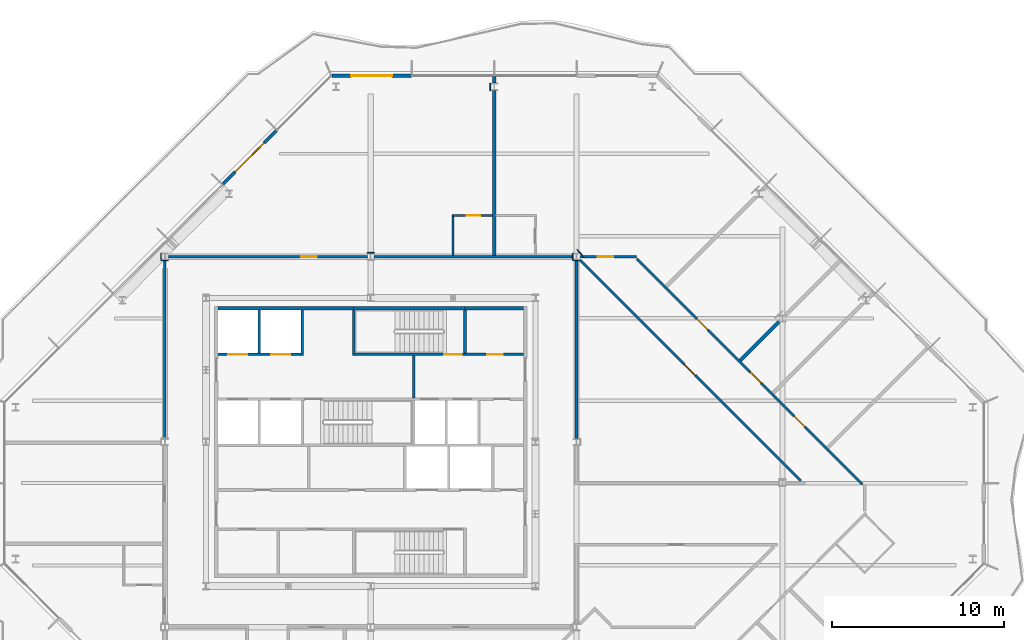
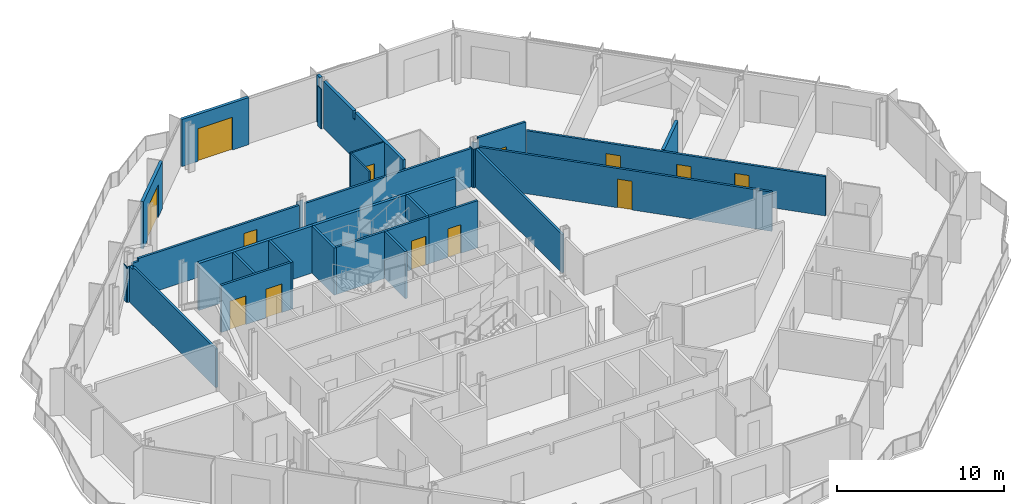
# One storey, part 11 of 17: 32 walls, 13 doors, 13 openings.
"""IFC4 building model written with IfcOpenShell, lengths in metres."""

from ifc_helpers import new_model, si_unit, direction, frame, frame_2d, origin, place, context, subcontext, project, spatial, polyline, rectangle, outline, extrude, material, layer, layer_set, type_object, element, fill, save


model = new_model("IFC4")

# Units and contexts
model_context = context("Model", 3, precision=1e-05, world=origin(), true_north=direction((0.0, 1.0)))
body_context = subcontext(model_context, "Body", "Model", "MODEL_VIEW")
ifc_project = project(units=[si_unit("LENGTHUNIT", "METRE"), si_unit("AREAUNIT", "SQUARE_METRE"), si_unit("VOLUMEUNIT", "CUBIC_METRE"), si_unit("PLANEANGLEUNIT", "RADIAN"), si_unit("MASSUNIT", "GRAM", prefix="KILO")], contexts=[model_context])

# Site, building, storey
site_placement = place(None, origin())
site = spatial("IfcSite", under=ifc_project, at=site_placement, CompositionType="ELEMENT")
building_placement = place(site_placement, origin())
building = spatial("IfcBuilding", under=site, at=building_placement, Name="Cairn Pilgrim Tower", CompositionType="ELEMENT")
storey_placement = place(building_placement, frame((0.0, 0.0, 210.60009765625)))
storey = spatial("IfcBuildingStorey", under=building, at=storey_placement, Name="L53", CompositionType="ELEMENT", Elevation=210.60009765625)

# Wall, opening, door
ifc_material_1 = material(Name="Bronze anodised aluminium insulated sandwich panel with mineral wool fill", Category="aluminium")
ifc_layer_1 = layer(ifc_material_1, 0.199951171875)
ifc_layer_set_1 = layer_set([ifc_layer_1], Name="BRONZE INFILL FRAME WALL 200")
wall_type_1 = type_object("IfcWallType", Name="BRONZE INFILL FRAME WALL 200", PredefinedType="NOTDEFINED", material=ifc_layer_set_1)
wall_1_placement = place(storey_placement, frame((9.570068359375, 23.75, 0.0), z_axis=(0.0, 0.0, 1.0), x_axis=(-1.0, 0.0, 0.0)))
wall_1 = element("IfcWall", 1, at=wall_1_placement, inside=storey, type_object=wall_type_1, Name="Bronze infill frame wall IW-N4", PredefinedType="NOTDEFINED", context=body_context, shape_type="SweptSolid", body=[
    extrude(rectangle(XDim=4.62646484375, YDim=0.199951171875, at=frame_2d((2.313232421875, 0.0))), origin(), (0.0, 0.0, 1.0), 3.449951171875),
])
opening_1_placement = place(wall_1_placement, frame((1.117919921875, 0.0, 0.0)))
opening_1 = element("IfcOpeningElement", 2, at=opening_1_placement, cuts=wall_1, Name="Opening 5309B", PredefinedType="OPENING", context=body_context, shape_type="SweptSolid", body=[
    extrude(rectangle(XDim=2.39990234375, YDim=2.39990234375, at=frame_2d((1.199951171875, 1.199951171875))), frame((0.0, 0.10986328125, 0.0), z_axis=(0.0, -1.0, 0.0), x_axis=(1.0, 0.0, 0.0)), (0.0, 0.0, 1.0), 0.219970703125),
])
ifc_material_2 = material(Name="Bronze anodised aluminium frame with tinted low-E glass", Category="aluminium")
door_type_1 = type_object("IfcDoorType", Name="BALCONY SLIDING DOOR 2400x2400", OperationType="DOUBLE_DOOR_SLIDING", PredefinedType="DOOR", material=ifc_material_2)
door_1_placement = place(opening_1_placement, origin())
door_1 = element("IfcDoor", 3, at=door_1_placement, inside=storey, type_object=door_type_1, Name="Balcony sliding door 5309B", OperationType="SINGLE_SWING_LEFT", OverallHeight=2.39990234375, OverallWidth=2.39990234375, PredefinedType="DOOR", context=body_context, shape_type="SweptSolid", body=[
    extrude(rectangle(XDim=2.39990234375, YDim=2.39990234375, at=frame_2d((1.199951171875, 1.199951171875))), frame((0.0, 0.02490234375, 0.0), z_axis=(0.0, -1.0, 0.0), x_axis=(1.0, 0.0, 0.0)), (0.0, 0.0, 1.0), 0.050048828125),
])
fill(opening_1, door_1)

wall_2_placement = place(storey_placement, frame((1.706787109375, 20.55322265625, 0.0), z_axis=(0.0, 0.0, 1.0), x_axis=(-0.707106781187, -0.707106781187, 0.0)))
wall_2 = element("IfcWall", 4, at=wall_2_placement, inside=storey, type_object=wall_type_1, Name="Bronze infill frame wall IW-NW2", PredefinedType="NOTDEFINED", context=body_context, shape_type="SweptSolid", body=[
    extrude(rectangle(XDim=4.43115234375, YDim=0.199951171875, at=frame_2d((2.215576171875, 0.0))), origin(), (0.0, 0.0, 1.0), 3.449951171875),
])
opening_2_placement = place(wall_2_placement, frame((1.015380859375, 0.0, 0.0)))
opening_2 = element("IfcOpeningElement", 5, at=opening_2_placement, cuts=wall_2, Name="Opening 5309B2", PredefinedType="OPENING", context=body_context, shape_type="SweptSolid", body=[
    extrude(rectangle(XDim=2.39990234375, YDim=2.39990234375, at=frame_2d((1.199951171875, 1.199951171875))), frame((0.0, 0.10986328125, 0.0), z_axis=(0.0, -1.0, 0.0), x_axis=(1.0, 0.0, 0.0)), (0.0, 0.0, 1.0), 0.219970703125),
])
door_2_placement = place(opening_2_placement, origin())
door_2 = element("IfcDoor", 6, at=door_2_placement, inside=storey, type_object=door_type_1, Name="Balcony sliding door 5309B2", OperationType="SINGLE_SWING_LEFT", OverallHeight=2.39990234375, OverallWidth=2.39990234375, PredefinedType="DOOR", context=body_context, shape_type="SweptSolid", body=[
    extrude(rectangle(XDim=2.39990234375, YDim=2.39990234375, at=frame_2d((1.199951171875, 1.199951171875))), frame((0.0, 0.02490234375, 0.0), z_axis=(0.0, -1.0, 0.0), x_axis=(1.0, 0.0, 0.0)), (0.0, 0.0, 1.0), 0.050048828125),
])
fill(opening_2, door_2)

# Walls
ifc_material_3 = material(Name="Concrete C32/40", Category="concrete")
ifc_layer_2 = layer(ifc_material_3, 0.199951171875)
ifc_layer_set_2 = layer_set([ifc_layer_2], Name="CORE OUTER WALL 200 EI 120")
wall_type_2 = type_object("IfcWallType", Name="CORE OUTER WALL 200 EI 120", PredefinedType="SOLIDWALL", material=ifc_layer_set_2)
wall_3_placement = place(storey_placement, frame((-1.699951171875, 10.199951171875, 0.0), z_axis=(0.0, 0.0, 1.0), x_axis=(1.0, 0.0, 0.0)))
element("IfcWall", 7, at=wall_3_placement, inside=storey, type_object=wall_type_2, Name="CW:L53:H12-1", PredefinedType="SOLIDWALL", context=body_context, shape_type="SweptSolid", body=[
    extrude(rectangle(XDim=7.89990234375, YDim=0.199951171875, at=frame_2d((3.949951171875, 0.0))), origin(), (0.0, 0.0, 1.0), 3.449951171875),
])
wall_4_placement = place(storey_placement, frame((12.699951171875, 10.199951171875, 0.0), z_axis=(0.0, 0.0, 1.0), x_axis=(1.0, 0.0, 0.0)))
element("IfcWall", 8, at=wall_4_placement, inside=storey, type_object=wall_type_2, Name="CW:L53:H12-3", PredefinedType="SOLIDWALL", context=body_context, shape_type="SweptSolid", body=[
    extrude(rectangle(XDim=3.400146484375, YDim=0.199951171875, at=frame_2d((1.7001953125, 0.0))), origin(), (0.0, 0.0, 1.0), 3.449951171875),
])

# Wall, openings, doors
ifc_layer_3 = layer(ifc_material_3, 0.14990234375)
ifc_layer_set_3 = layer_set([ifc_layer_3], Name="CORE SHAFT WALL 150 EI 120")
wall_type_3 = type_object("IfcWallType", Name="CORE SHAFT WALL 150 EI 120", PredefinedType="SOLIDWALL", material=ifc_layer_set_3)
wall_5_placement = place(storey_placement, frame((-1.699951171875, 7.5, 0.0), z_axis=(0.0, 0.0, 1.0), x_axis=(1.0, 0.0, 0.0)))
wall_5 = element("IfcWall", 9, at=wall_5_placement, inside=storey, type_object=wall_type_3, Name="CW:L53:H10", PredefinedType="SOLIDWALL", context=body_context, shape_type="SweptSolid", body=[
    extrude(rectangle(XDim=4.824951171875, YDim=0.14990234375, at=frame_2d((2.41259765625, 0.0))), origin(), (0.0, 0.0, 1.0), 3.449951171875),
])
opening_3_placement = place(wall_5_placement, frame((0.60009765625, 0.0, 0.0)))
opening_3 = element("IfcOpeningElement", 10, at=opening_3_placement, cuts=wall_5, Name="Opening LD-HR3", PredefinedType="OPENING", context=body_context, shape_type="SweptSolid", body=[
    extrude(rectangle(XDim=1.10009765625, YDim=2.10009765625, at=frame_2d((0.550048828125, 1.050048828125))), frame((0.0, 0.0849609375, 0.0), z_axis=(0.0, -1.0, 0.0), x_axis=(1.0, 0.0, 0.0)), (0.0, 0.0, 1.0), 0.169921875),
])
opening_4_placement = place(wall_5_placement, frame((3.10009765625, 0.0, 0.0)))
opening_4 = element("IfcOpeningElement", 11, at=opening_4_placement, cuts=wall_5, Name="Opening LD-HR4", PredefinedType="OPENING", context=body_context, shape_type="SweptSolid", body=[
    extrude(rectangle(XDim=1.10009765625, YDim=2.10009765625, at=frame_2d((0.550048828125, 1.050048828125))), frame((0.0, 0.0849609375, 0.0), z_axis=(0.0, -1.0, 0.0), x_axis=(1.0, 0.0, 0.0)), (0.0, 0.0, 1.0), 0.169921875),
])
ifc_material_4 = material(Name="Stainless steel", Category="steel")
door_type_2 = type_object("IfcDoorType", Name="LIFT LANDING DOOR 1100x2100", OperationType="DOUBLE_DOOR_SLIDING", PredefinedType="DOOR", material=ifc_material_4)
door_3_placement = place(opening_3_placement, origin())
door_3 = element("IfcDoor", 12, at=door_3_placement, inside=storey, type_object=door_type_2, Name="LANDING DOOR HR3", OperationType="DOUBLE_DOOR_SLIDING", OverallHeight=2.10009765625, OverallWidth=1.10009765625, PredefinedType="DOOR", context=body_context, shape_type="SweptSolid", body=[
    extrude(rectangle(XDim=1.10009765625, YDim=2.10009765625, at=frame_2d((0.550048828125, 1.050048828125))), frame((0.0, 0.02490234375, 0.0), z_axis=(0.0, -1.0, 0.0), x_axis=(1.0, 0.0, 0.0)), (0.0, 0.0, 1.0), 0.050048828125),
])
fill(opening_3, door_3)
door_4_placement = place(opening_4_placement, origin())
door_4 = element("IfcDoor", 13, at=door_4_placement, inside=storey, type_object=door_type_2, Name="LANDING DOOR HR4", OperationType="DOUBLE_DOOR_SLIDING", OverallHeight=2.10009765625, OverallWidth=1.10009765625, PredefinedType="DOOR", context=body_context, shape_type="SweptSolid", body=[
    extrude(rectangle(XDim=1.10009765625, YDim=2.10009765625, at=frame_2d((0.550048828125, 1.050048828125))), frame((0.0, 0.02490234375, 0.0), z_axis=(0.0, -1.0, 0.0), x_axis=(1.0, 0.0, 0.0)), (0.0, 0.0, 1.0), 0.050048828125),
])
fill(opening_4, door_4)

# Wall, opening, door
wall_6_placement = place(storey_placement, frame((12.699951171875, 7.5, 0.0), z_axis=(0.0, 0.0, 1.0), x_axis=(1.0, 0.0, 0.0)))
wall_6 = element("IfcWall", 14, at=wall_6_placement, inside=storey, type_object=wall_type_3, Name="CW:L53:H11-2", PredefinedType="SOLIDWALL", context=body_context, shape_type="SweptSolid", body=[
    extrude(rectangle(XDim=3.400146484375, YDim=0.14990234375, at=frame_2d((1.7001953125, 0.0))), origin(), (0.0, 0.0, 1.0), 3.449951171875),
])
opening_5_placement = place(wall_6_placement, frame((1.300048828125, 0.0, 0.0)))
opening_5 = element("IfcOpeningElement", 15, at=opening_5_placement, cuts=wall_6, Name="Opening RD-R4E", PredefinedType="OPENING", context=body_context, shape_type="SweptSolid", body=[
    extrude(rectangle(XDim=0.89990234375, YDim=2.10009765625, at=frame_2d((0.449951171875, 1.050048828125))), frame((0.0, 0.0849609375, 0.0), z_axis=(0.0, -1.0, 0.0), x_axis=(1.0, 0.0, 0.0)), (0.0, 0.0, 1.0), 0.169921875),
])
ifc_material_5 = material(Name="Painted steel", Category="steel")
door_type_3 = type_object("IfcDoorType", Name="SERVICE ROOM DOOR 900x2100", OperationType="SINGLE_SWING_LEFT", PredefinedType="DOOR", material=ifc_material_5)
door_5_placement = place(opening_5_placement, origin())
door_5 = element("IfcDoor", 16, at=door_5_placement, inside=storey, type_object=door_type_3, Name="RD-R4E", OperationType="SINGLE_SWING_RIGHT", OverallHeight=2.10009765625, OverallWidth=0.89990234375, PredefinedType="DOOR", context=body_context, shape_type="SweptSolid", body=[
    extrude(rectangle(XDim=0.89990234375, YDim=2.10009765625, at=frame_2d((0.449951171875, 1.050048828125))), frame((0.0, 0.02490234375, 0.0), z_axis=(0.0, -1.0, 0.0), x_axis=(1.0, 0.0, 0.0)), (0.0, 0.0, 1.0), 0.050048828125),
])
fill(opening_5, door_5)

# Walls
wall_7_placement = place(storey_placement, frame((0.699951171875, 7.574951171875, 0.0), z_axis=(0.0, 0.0, 1.0), x_axis=(0.0, 1.0, 0.0)))
element("IfcWall", 17, at=wall_7_placement, inside=storey, type_object=wall_type_3, Name="CW:L53:V15", PredefinedType="SOLIDWALL", context=body_context, shape_type="SweptSolid", body=[
    extrude(rectangle(XDim=2.525146484375, YDim=0.14990234375, at=frame_2d((1.2626953125, 0.0))), origin(), (0.0, 0.0, 1.0), 3.449951171875),
])
wall_8_placement = place(storey_placement, frame((3.199951171875, 7.425048828125, 0.0), z_axis=(0.0, 0.0, 1.0), x_axis=(0.0, 1.0, 0.0)))
element("IfcWall", 18, at=wall_8_placement, inside=storey, type_object=wall_type_3, Name="CW:L53:V18", PredefinedType="SOLIDWALL", context=body_context, shape_type="SweptSolid", body=[
    extrude(rectangle(XDim=2.675048828125, YDim=0.14990234375, at=frame_2d((1.33740234375, 0.0))), origin(), (0.0, 0.0, 1.0), 3.449951171875),
])
wall_9_placement = place(storey_placement, frame((9.699951171875, 4.97509765625, 0.0), z_axis=(0.0, 0.0, 1.0), x_axis=(0.0, 1.0, 0.0)))
element("IfcWall", 19, at=wall_9_placement, inside=storey, type_object=wall_type_3, Name="CW:L53:V24", PredefinedType="SOLIDWALL", context=body_context, shape_type="SweptSolid", body=[
    extrude(rectangle(XDim=2.449951171875, YDim=0.14990234375, at=frame_2d((1.22509765625, 0.0))), origin(), (0.0, 0.0, 1.0), 3.449951171875),
])
ifc_material_6 = material(Name="Gypsum partition")
ifc_layer_4 = layer(ifc_material_6, 0.10009765625)
ifc_layer_set_4 = layer_set([ifc_layer_4], Name="PARTITION 100 DRYWALL")
wall_type_4 = type_object("IfcWallType", Name="PARTITION 100 DRYWALL", PredefinedType="PARTITIONING", material=ifc_layer_set_4)
wall_10_placement = place(storey_placement, frame((12.0, 13.27490234375, 0.0), z_axis=(0.0, 0.0, 1.0), x_axis=(0.0, 1.0, 0.0)))
element("IfcWall", 20, at=wall_10_placement, inside=storey, type_object=wall_type_4, Name="PARTITION W069", PredefinedType="PARTITIONING", context=body_context, shape_type="SweptSolid", body=[
    extrude(outline(polyline([(0.0, 0.0), (2.275146484375, 0.0), (2.27490234375, 3.449951171875), (0.074951171875, 3.449951171875), (0.072998046875, 2.829833984375), (0.0, 2.829833984375), (0.0, 0.0)])), frame((0.0, 0.050048828125, 0.0), z_axis=(0.0, -1.0, 0.0), x_axis=(1.0, 0.0, 0.0)), (0.0, 0.0, 1.0), 0.10009765625),
])

# Wall, opening, door
wall_11_placement = place(storey_placement, frame((11.949951171875, 15.60009765625, 0.0), z_axis=(0.0, 0.0, 1.0), x_axis=(1.0, 0.0, 0.0)))
wall_11 = element("IfcWall", 21, at=wall_11_placement, inside=storey, type_object=wall_type_4, Name="PARTITION W072", PredefinedType="PARTITIONING", context=body_context, shape_type="SweptSolid", body=[
    extrude(rectangle(XDim=2.35009765625, YDim=0.10009765625, at=frame_2d((1.175048828125, 0.0))), origin(), (0.0, 0.0, 1.0), 3.449951171875),
])
opening_6_placement = place(wall_11_placement, frame((0.85009765625, 0.0, 0.0)))
opening_6 = element("IfcOpeningElement", 22, at=opening_6_placement, cuts=wall_11, Name="Opening 5309A", PredefinedType="OPENING", context=body_context, shape_type="SweptSolid", body=[
    extrude(rectangle(XDim=0.800048828125, YDim=2.10009765625, at=frame_2d((0.39990234375, 1.050048828125))), frame((0.0, 0.06005859375, 0.0), z_axis=(0.0, -1.0, 0.0), x_axis=(1.0, 0.0, 0.0)), (0.0, 0.0, 1.0), 0.1201171875),
])
ifc_material_7 = material(Name="Timber door leaf", Category="wood")
door_type_4 = type_object("IfcDoorType", Name="WC DOOR 800x2100", OperationType="NOTDEFINED", PredefinedType="DOOR", material=ifc_material_7)
door_6_placement = place(opening_6_placement, origin())
door_6 = element("IfcDoor", 23, at=door_6_placement, inside=storey, type_object=door_type_4, Name="DOOR 5309A", OperationType="SINGLE_SWING_LEFT", OverallHeight=2.10009765625, OverallWidth=0.800048828125, PredefinedType="DOOR", context=body_context, shape_type="SweptSolid", body=[
    extrude(rectangle(XDim=0.800048828125, YDim=2.10009765625, at=frame_2d((0.39990234375, 1.050048828125))), frame((0.0, 0.02490234375, 0.0), z_axis=(0.0, -1.0, 0.0), x_axis=(1.0, 0.0, 0.0)), (0.0, 0.0, 1.0), 0.050048828125),
])
fill(opening_6, door_6)

# Wall, openings, doors
ifc_layer_5 = layer(ifc_material_6, 0.14990234375)
ifc_layer_set_5 = layer_set([ifc_layer_5], Name="PARTITION 150 DRYWALL EI 60")
wall_type_5 = type_object("IfcWallType", Name="PARTITION 150 DRYWALL EI 60", PredefinedType="PARTITIONING", material=ifc_layer_set_5)
wall_12_placement = place(storey_placement, frame((35.8720703125, -0.077880859375, 0.0), z_axis=(0.0, 0.0, 1.0), x_axis=(-0.707113345155, 0.707100217157, 0.0)))
wall_12 = element("IfcWall", 24, at=wall_12_placement, inside=storey, type_object=wall_type_5, Name="PARTITION W052", PredefinedType="PARTITIONING", context=body_context, shape_type="SweptSolid", body=[
    extrude(rectangle(XDim=18.596923828125, YDim=0.14990234375, at=frame_2d((9.29833984375, 0.0))), origin(), (0.0, 0.0, 1.0), 2.8798828125),
])
opening_7_placement = place(wall_12_placement, frame((4.743896484375, 0.0, 0.0)))
opening_7 = element("IfcOpeningElement", 25, at=opening_7_placement, cuts=wall_12, Name="Opening 5305", PredefinedType="OPENING", context=body_context, shape_type="SweptSolid", body=[
    extrude(rectangle(XDim=0.89990234375, YDim=2.10009765625, at=frame_2d((0.449951171875, 1.050048828125))), frame((0.0, 0.0849609375, 0.0), z_axis=(0.0, -1.0, 0.0), x_axis=(1.0, 0.0, 0.0)), (0.0, 0.0, 1.0), 0.169921875),
])
opening_8_placement = place(wall_12_placement, frame((8.344970703125, 0.0, 0.0)))
opening_8 = element("IfcOpeningElement", 26, at=opening_8_placement, cuts=wall_12, Name="Opening 5306", PredefinedType="OPENING", context=body_context, shape_type="SweptSolid", body=[
    extrude(rectangle(XDim=0.89990234375, YDim=2.10009765625, at=frame_2d((0.449951171875, 1.050048828125))), frame((0.0, 0.0849609375, 0.0), z_axis=(0.0, -1.0, 0.0), x_axis=(1.0, 0.0, 0.0)), (0.0, 0.0, 1.0), 0.169921875),
])
opening_9_placement = place(wall_12_placement, frame((12.74609375, 0.0, 0.0)))
opening_9 = element("IfcOpeningElement", 27, at=opening_9_placement, cuts=wall_12, Name="Opening 5307", PredefinedType="OPENING", context=body_context, shape_type="SweptSolid", body=[
    extrude(rectangle(XDim=0.89990234375, YDim=2.10009765625, at=frame_2d((0.449951171875, 1.050048828125))), frame((0.0, 0.0849609375, 0.0), z_axis=(0.0, -1.0, 0.0), x_axis=(1.0, 0.0, 0.0)), (0.0, 0.0, 1.0), 0.169921875),
])
door_type_5 = type_object("IfcDoorType", Name="SERVICE DOOR 900x2100 FD30S", OperationType="NOTDEFINED", PredefinedType="DOOR", material=ifc_material_7)
door_7_placement = place(opening_7_placement, frame((0.89990234375, 0.0, 0.0), z_axis=(0.0, 0.0, 1.0), x_axis=(-1.0, 0.0, 0.0)))
door_7 = element("IfcDoor", 28, at=door_7_placement, inside=storey, type_object=door_type_5, Name="DOOR 5305", OperationType="SINGLE_SWING_LEFT", OverallHeight=2.10009765625, OverallWidth=0.89990234375, PredefinedType="DOOR", context=body_context, shape_type="SweptSolid", body=[
    extrude(rectangle(XDim=0.89990234375, YDim=2.10009765625, at=frame_2d((0.449951171875, 1.050048828125))), frame((0.0, 0.02490234375, 0.0), z_axis=(0.0, -1.0, 0.0), x_axis=(1.0, 0.0, 0.0)), (0.0, 0.0, 1.0), 0.050048828125),
])
fill(opening_7, door_7)
door_8_placement = place(opening_8_placement, frame((0.89990234375, 0.0, 0.0), z_axis=(0.0, 0.0, 1.0), x_axis=(-1.0, 0.0, 0.0)))
door_8 = element("IfcDoor", 29, at=door_8_placement, inside=storey, type_object=door_type_5, Name="DOOR 5306", OperationType="SINGLE_SWING_LEFT", OverallHeight=2.10009765625, OverallWidth=0.89990234375, PredefinedType="DOOR", context=body_context, shape_type="SweptSolid", body=[
    extrude(rectangle(XDim=0.89990234375, YDim=2.10009765625, at=frame_2d((0.449951171875, 1.050048828125))), frame((0.0, 0.02490234375, 0.0), z_axis=(0.0, -1.0, 0.0), x_axis=(1.0, 0.0, 0.0)), (0.0, 0.0, 1.0), 0.050048828125),
])
fill(opening_8, door_8)
door_9_placement = place(opening_9_placement, frame((0.89990234375, 0.0, 0.0), z_axis=(0.0, 0.0, 1.0), x_axis=(-1.0, 0.0, 0.0)))
door_9 = element("IfcDoor", 30, at=door_9_placement, inside=storey, type_object=door_type_5, Name="DOOR 5307", OperationType="SINGLE_SWING_LEFT", OverallHeight=2.10009765625, OverallWidth=0.89990234375, PredefinedType="DOOR", context=body_context, shape_type="SweptSolid", body=[
    extrude(rectangle(XDim=0.89990234375, YDim=2.10009765625, at=frame_2d((0.449951171875, 1.050048828125))), frame((0.0, 0.02490234375, 0.0), z_axis=(0.0, -1.0, 0.0), x_axis=(1.0, 0.0, 0.0)), (0.0, 0.0, 1.0), 0.050048828125),
])
fill(opening_9, door_9)

# Wall, opening, door
wall_13_placement = place(storey_placement, frame((32.27197265625, 0.1279296875, 0.0), z_axis=(0.0, 0.0, 1.0), x_axis=(-0.707106781187, 0.707106781187, 0.0)))
wall_13 = element("IfcWall", 31, at=wall_13_placement, inside=storey, type_object=wall_type_5, Name="PARTITION W056", PredefinedType="PARTITIONING", context=body_context, shape_type="SweptSolid", body=[
    extrude(rectangle(XDim=18.20654296875, YDim=0.14990234375, at=frame_2d((9.103271484375, 0.0))), origin(), (0.0, 0.0, 1.0), 2.8798828125),
])
opening_10_placement = place(wall_13_placement, frame((8.702880859375, 0.0, 0.0)))
opening_10 = element("IfcOpeningElement", 32, at=opening_10_placement, cuts=wall_13, Name="Opening 5319", PredefinedType="OPENING", context=body_context, shape_type="SweptSolid", body=[
    extrude(rectangle(XDim=0.89990234375, YDim=2.10009765625, at=frame_2d((0.449951171875, 1.050048828125))), frame((0.0, 0.0849609375, 0.0), z_axis=(0.0, -1.0, 0.0), x_axis=(1.0, 0.0, 0.0)), (0.0, 0.0, 1.0), 0.169921875),
])
door_10_placement = place(opening_10_placement, origin())
door_10 = element("IfcDoor", 33, at=door_10_placement, inside=storey, type_object=door_type_5, Name="DOOR 5319", OperationType="SINGLE_SWING_RIGHT", OverallHeight=2.10009765625, OverallWidth=0.89990234375, PredefinedType="DOOR", context=body_context, shape_type="SweptSolid", body=[
    extrude(rectangle(XDim=0.89990234375, YDim=2.10009765625, at=frame_2d((0.449951171875, 1.050048828125))), frame((0.0, 0.02490234375, 0.0), z_axis=(0.0, -1.0, 0.0), x_axis=(1.0, 0.0, 0.0)), (0.0, 0.0, 1.0), 0.050048828125),
])
fill(opening_10, door_10)

# Walls
wall_14_placement = place(storey_placement, frame((-4.800048828125, 2.596435546875, 0.0), z_axis=(0.0, 0.0, 1.0), x_axis=(0.0, 1.0, 0.0)))
element("IfcWall", 34, at=wall_14_placement, inside=storey, type_object=wall_type_5, Name="PARTITION W059", PredefinedType="PARTITIONING", context=body_context, shape_type="SweptSolid", body=[
    extrude(outline(polyline([(0.0, 0.0), (10.406982421875, 0.0), (10.406982421875, 2.6298828125), (9.960693359375, 2.6298828125), (9.958740234375, 2.829833984375), (0.0, 2.829833984375), (0.0, 0.0)])), frame((0.0, 0.074951171875, 0.0), z_axis=(0.0, -1.0, 0.0), x_axis=(1.0, 0.0, 0.0)), (0.0, 0.0, 1.0), 0.14990234375),
])
wall_15_placement = place(storey_placement, frame((19.199951171875, 2.596435546875, 0.0), z_axis=(0.0, 0.0, 1.0), x_axis=(0.0, 1.0, 0.0)))
element("IfcWall", 35, at=wall_15_placement, inside=storey, type_object=wall_type_5, Name="PARTITION W060", PredefinedType="PARTITIONING", context=body_context, shape_type="SweptSolid", body=[
    extrude(rectangle(XDim=10.406982421875, YDim=0.14990234375, at=frame_2d((5.20361328125, 0.0))), origin(), (0.0, 0.0, 1.0), 2.829833984375),
])

# Wall, opening, door
wall_16_placement = place(storey_placement, frame((-4.6005859375, 13.199951171875, 0.0), z_axis=(0.0, 0.0, 1.0), x_axis=(1.0, 0.0, 0.0)))
wall_16 = element("IfcWall", 36, at=wall_16_placement, inside=storey, type_object=wall_type_5, Name="PARTITION W066", PredefinedType="PARTITIONING", context=body_context, shape_type="SweptSolid", body=[
    extrude(outline(polyline([(0.0, 0.0), (11.60107421875, 0.0), (11.60107421875, 2.829833984375), (0.443359375, 2.829833984375), (0.44140625, 2.6298828125), (0.0, 2.6298828125), (0.0, 0.0)])), frame((0.0, 0.074951171875, 0.0), z_axis=(0.0, -1.0, 0.0), x_axis=(1.0, 0.0, 0.0)), (0.0, 0.0, 1.0), 0.14990234375),
])
opening_11_placement = place(wall_16_placement, frame((7.75048828125, 0.0, 0.0)))
opening_11 = element("IfcOpeningElement", 37, at=opening_11_placement, cuts=wall_16, Name="Opening 5309", PredefinedType="OPENING", context=body_context, shape_type="SweptSolid", body=[
    extrude(rectangle(XDim=0.89990234375, YDim=2.10009765625, at=frame_2d((0.449951171875, 1.050048828125))), frame((0.0, 0.0849609375, 0.0), z_axis=(0.0, -1.0, 0.0), x_axis=(1.0, 0.0, 0.0)), (0.0, 0.0, 1.0), 0.169921875),
])
door_type_6 = type_object("IfcDoorType", Name="ROOM DOOR 900x2100 FD30S", OperationType="NOTDEFINED", PredefinedType="DOOR", material=ifc_material_7)
door_11_placement = place(opening_11_placement, origin())
door_11 = element("IfcDoor", 38, at=door_11_placement, inside=storey, type_object=door_type_6, Name="DOOR 5309", OperationType="SINGLE_SWING_LEFT", OverallHeight=2.10009765625, OverallWidth=0.89990234375, PredefinedType="DOOR", context=body_context, shape_type="SweptSolid", body=[
    extrude(rectangle(XDim=0.89990234375, YDim=2.10009765625, at=frame_2d((0.449951171875, 1.050048828125))), frame((0.0, 0.02490234375, 0.0), z_axis=(0.0, -1.0, 0.0), x_axis=(1.0, 0.0, 0.0)), (0.0, 0.0, 1.0), 0.050048828125),
])
fill(opening_11, door_11)

# Wall
wall_17_placement = place(storey_placement, frame((7.3994140625, 13.199951171875, 0.0), z_axis=(0.0, 0.0, 1.0), x_axis=(1.0, 0.0, 0.0)))
element("IfcWall", 39, at=wall_17_placement, inside=storey, type_object=wall_type_5, Name="PARTITION W067", PredefinedType="PARTITIONING", context=body_context, shape_type="SweptSolid", body=[
    extrude(rectangle(XDim=11.60107421875, YDim=0.14990234375, at=frame_2d((5.800537109375, 0.0))), origin(), (0.0, 0.0, 1.0), 2.829833984375),
])

# Wall, opening, door
wall_18_placement = place(storey_placement, frame((19.3994140625, 13.199951171875, 0.0), z_axis=(0.0, 0.0, 1.0), x_axis=(1.0, 0.0, 0.0)))
wall_18 = element("IfcWall", 40, at=wall_18_placement, inside=storey, type_object=wall_type_5, Name="PARTITION W068", PredefinedType="PARTITIONING", context=body_context, shape_type="SweptSolid", body=[
    extrude(rectangle(XDim=3.30078125, YDim=0.14990234375, at=frame_2d((1.650390625, 0.0))), origin(), (0.0, 0.0, 1.0), 3.449951171875),
])
opening_12_placement = place(wall_18_placement, frame((1.047607421875, 0.0, 0.0)))
opening_12 = element("IfcOpeningElement", 41, at=opening_12_placement, cuts=wall_18, Name="Opening 5308", PredefinedType="OPENING", context=body_context, shape_type="SweptSolid", body=[
    extrude(rectangle(XDim=0.89990234375, YDim=2.10009765625, at=frame_2d((0.449951171875, 1.050048828125))), frame((0.0, 0.0849609375, 0.0), z_axis=(0.0, -1.0, 0.0), x_axis=(1.0, 0.0, 0.0)), (0.0, 0.0, 1.0), 0.169921875),
])
door_12_placement = place(opening_12_placement, origin())
door_12 = element("IfcDoor", 42, at=door_12_placement, inside=storey, type_object=door_type_6, Name="DOOR 5308", OperationType="SINGLE_SWING_LEFT", OverallHeight=2.10009765625, OverallWidth=0.89990234375, PredefinedType="DOOR", context=body_context, shape_type="SweptSolid", body=[
    extrude(rectangle(XDim=0.89990234375, YDim=2.10009765625, at=frame_2d((0.449951171875, 1.050048828125))), frame((0.0, 0.02490234375, 0.0), z_axis=(0.0, -1.0, 0.0), x_axis=(1.0, 0.0, 0.0)), (0.0, 0.0, 1.0), 0.050048828125),
])
fill(opening_12, door_12)

# Walls
ifc_layer_6 = layer(ifc_material_6, 0.050048828125)
ifc_layer_set_6 = layer_set([ifc_layer_6], Name="PARTITION 50 DRYWALL EI 60")
wall_type_6 = type_object("IfcWallType", Name="PARTITION 50 DRYWALL EI 60", PredefinedType="PARTITIONING", material=ifc_layer_set_6)
wall_19_placement = place(storey_placement, frame((-5.0244140625, 13.00341796875, 0.0), z_axis=(0.0, 0.0, 1.0), x_axis=(0.0, 1.0, 0.0)))
element("IfcWall", 43, at=wall_19_placement, inside=storey, type_object=wall_type_6, Name="COLUMN CASING WC09", PredefinedType="PARTITIONING", context=body_context, shape_type="SweptSolid", body=[
    extrude(rectangle(XDim=0.39306640625, YDim=0.050048828125, at=frame_2d((0.196533203125, 0.0))), origin(), (0.0, 0.0, 1.0), 2.6298828125),
])
wall_20_placement = place(storey_placement, frame((18.9755859375, 13.00341796875, 0.0), z_axis=(0.0, 0.0, 1.0), x_axis=(0.0, 1.0, 0.0)))
element("IfcWall", 44, at=wall_20_placement, inside=storey, type_object=wall_type_6, Name="COLUMN CASING WC16", PredefinedType="PARTITIONING", context=body_context, shape_type="SweptSolid", body=[
    extrude(rectangle(XDim=0.39306640625, YDim=0.050048828125, at=frame_2d((0.196533203125, 0.0))), origin(), (0.0, 0.0, 1.0), 2.829833984375),
])
wall_21_placement = place(storey_placement, frame((19.61376953125, 13.2177734375, 0.0), z_axis=(0.0, 0.0, 1.0), x_axis=(-0.707106781187, 0.707106781187, 0.0)))
element("IfcWall", 45, at=wall_21_placement, inside=storey, type_object=wall_type_6, Name="COLUMN CASING WC17", PredefinedType="PARTITIONING", context=body_context, shape_type="SweptSolid", body=[
    extrude(rectangle(XDim=0.56005859375, YDim=0.050048828125, at=frame_2d((0.280029296875, 0.0))), origin(), (0.0, 0.0, 1.0), 2.929931640625),
])
wall_22_placement = place(storey_placement, frame((-4.99951171875, 12.978515625, 0.0), z_axis=(0.0, 0.0, 1.0), x_axis=(1.0, 0.0, 0.0)))
element("IfcWall", 46, at=wall_22_placement, inside=storey, type_object=wall_type_6, Name="COLUMN CASING WC22", PredefinedType="PARTITIONING", context=body_context, shape_type="SweptSolid", body=[
    extrude(rectangle(XDim=0.39892578125, YDim=0.050048828125, at=frame_2d((0.199462890625, 0.0))), origin(), (0.0, 0.0, 1.0), 2.6298828125),
])
wall_23_placement = place(storey_placement, frame((7.00048828125, 13.42138671875, 0.0), z_axis=(0.0, 0.0, 1.0), x_axis=(1.0, 0.0, 0.0)))
element("IfcWall", 47, at=wall_23_placement, inside=storey, type_object=wall_type_6, Name="COLUMN CASING WC23", PredefinedType="PARTITIONING", context=body_context, shape_type="SweptSolid", body=[
    extrude(rectangle(XDim=0.39892578125, YDim=0.050048828125, at=frame_2d((0.199462890625, 0.0))), origin(), (0.0, 0.0, 1.0), 2.929931640625),
])
wall_24_placement = place(storey_placement, frame((19.00048828125, 12.978515625, 0.0), z_axis=(0.0, 0.0, 1.0), x_axis=(1.0, 0.0, 0.0)))
element("IfcWall", 48, at=wall_24_placement, inside=storey, type_object=wall_type_6, Name="COLUMN CASING WC24", PredefinedType="PARTITIONING", context=body_context, shape_type="SweptSolid", body=[
    extrude(rectangle(XDim=0.39892578125, YDim=0.050048828125, at=frame_2d((0.199462890625, 0.0))), origin(), (0.0, 0.0, 1.0), 2.829833984375),
])
wall_25_placement = place(storey_placement, frame((14.1669921875, 22.876953125, 0.0), z_axis=(0.0, 0.0, 1.0), x_axis=(0.0, 1.0, 0.0)))
element("IfcWall", 49, at=wall_25_placement, inside=storey, type_object=wall_type_6, Name="COLUMN CASING WC25", PredefinedType="PARTITIONING", context=body_context, shape_type="SweptSolid", body=[
    extrude(rectangle(XDim=0.446044921875, YDim=0.050048828125, at=frame_2d((0.22314453125, 0.0))), origin(), (0.0, 0.0, 1.0), 2.929931640625),
])
ifc_layer_7 = layer(ifc_material_6, 0.199951171875)
ifc_layer_set_7 = layer_set([ifc_layer_7], Name="SHAFT WALL 200 GYPSUM EI 60")
wall_type_7 = type_object("IfcWallType", Name="SHAFT WALL 200 GYPSUM EI 60", PredefinedType="PARTITIONING", material=ifc_layer_set_7)
wall_26_placement = place(storey_placement, frame((28.75, 7.14990234375, 0.0), z_axis=(0.0, 0.0, 1.0), x_axis=(0.7070684525, 0.707145107796, 0.0)))
element("IfcWall", 50, at=wall_26_placement, inside=storey, type_object=wall_type_7, Name="PARTITION W062", PredefinedType="PARTITIONING", context=body_context, shape_type="SweptSolid", body=[
    extrude(rectangle(XDim=3.184814453125, YDim=0.199951171875, at=frame_2d((1.59228515625, 0.0))), origin(), (0.0, 0.0, 1.0), 2.929931640625),
])
wall_27_placement = place(storey_placement, frame((14.39990234375, 13.27490234375, 0.0), z_axis=(0.0, 0.0, 1.0), x_axis=(0.0, 1.0, 0.0)))
element("IfcWall", 51, at=wall_27_placement, inside=storey, type_object=wall_type_7, Name="PARTITION W070", PredefinedType="PARTITIONING", context=body_context, shape_type="SweptSolid", body=[
    extrude(outline(polyline([(0.0, 0.0), (9.60205078125, 0.0), (9.60205078125, 3.449951171875), (6.030029296875, 3.449951171875), (6.028076171875, 2.8798828125), (5.820068359375, 2.8798828125), (5.818115234375, 3.449951171875), (0.074951171875, 3.449951171875), (0.072998046875, 2.829833984375), (0.0, 2.829833984375), (0.0, 0.0)])), frame((0.0, 0.10009765625, 0.0), z_axis=(0.0, -1.0, 0.0), x_axis=(1.0, 0.0, 0.0)), (0.0, 0.0, 1.0), 0.199951171875),
])
wall_28_placement = place(storey_placement, frame((14.39990234375, 23.322998046875, 0.0), z_axis=(0.0, 0.0, 1.0), x_axis=(0.0, 1.0, 0.0)))
element("IfcWall", 52, at=wall_28_placement, inside=storey, type_object=wall_type_7, Name="PARTITION W075", PredefinedType="PARTITIONING", context=body_context, shape_type="SweptSolid", body=[
    extrude(rectangle(XDim=0.366943359375, YDim=0.199951171875, at=frame_2d((0.18359375, 0.0))), origin(), (0.0, 0.0, 1.0), 3.449951171875),
])

# Wall, opening, door
ifc_material_8 = material(Name="Concrete C35/45", Category="concrete")
ifc_layer_8 = layer(ifc_material_8, 0.14990234375)
ifc_layer_set_8 = layer_set([ifc_layer_8], Name="STAIR SHAFT WALL 150 EI 120")
wall_type_8 = type_object("IfcWallType", Name="STAIR SHAFT WALL 150 EI 120", PredefinedType="SOLIDWALL", material=ifc_layer_set_8)
wall_29_placement = place(storey_placement, frame((6.27490234375, 7.5, 0.0), z_axis=(0.0, 0.0, 1.0), x_axis=(1.0, 0.0, 0.0)))
wall_29 = element("IfcWall", 53, at=wall_29_placement, inside=storey, type_object=wall_type_8, Name="CW:L53:H11-1", PredefinedType="SOLIDWALL", context=body_context, shape_type="SweptSolid", body=[
    extrude(rectangle(XDim=6.425048828125, YDim=0.14990234375, at=frame_2d((3.21240234375, 0.0))), origin(), (0.0, 0.0, 1.0), 3.449951171875),
])
opening_13_placement = place(wall_29_placement, frame((5.22509765625, 0.0, 0.0)))
opening_13 = element("IfcOpeningElement", 54, at=opening_13_placement, cuts=wall_29, Name="Opening SD-C", PredefinedType="OPENING", context=body_context, shape_type="SweptSolid", body=[
    extrude(rectangle(XDim=1.0, YDim=2.10009765625, at=frame_2d((0.5, 1.050048828125))), frame((0.0, 0.0849609375, 0.0), z_axis=(0.0, -1.0, 0.0), x_axis=(1.0, 0.0, 0.0)), (0.0, 0.0, 1.0), 0.169921875),
])
door_type_7 = type_object("IfcDoorType", Name="STAIR DOOR FD60S 1000x2100", OperationType="SINGLE_SWING_LEFT", PredefinedType="DOOR", material=ifc_material_5)
door_13_placement = place(opening_13_placement, origin())
door_13 = element("IfcDoor", 55, at=door_13_placement, inside=storey, type_object=door_type_7, Name="SD-C", OperationType="SINGLE_SWING_LEFT", OverallHeight=2.10009765625, OverallWidth=1.0, PredefinedType="DOOR", context=body_context, shape_type="SweptSolid", body=[
    extrude(rectangle(XDim=1.0, YDim=2.10009765625, at=frame_2d((0.5, 1.050048828125))), frame((0.0, 0.02490234375, 0.0), z_axis=(0.0, -1.0, 0.0), x_axis=(1.0, 0.0, 0.0)), (0.0, 0.0, 1.0), 0.050048828125),
])
fill(opening_13, door_13)

# Walls
wall_30_placement = place(storey_placement, frame((6.199951171875, 7.425048828125, 0.0), z_axis=(0.0, 0.0, 1.0), x_axis=(0.0, 1.0, 0.0)))
element("IfcWall", 56, at=wall_30_placement, inside=storey, type_object=wall_type_8, Name="CW:L53:V21", PredefinedType="SOLIDWALL", context=body_context, shape_type="SweptSolid", body=[
    extrude(rectangle(XDim=2.675048828125, YDim=0.14990234375, at=frame_2d((1.33740234375, 0.0))), origin(), (0.0, 0.0, 1.0), 3.449951171875),
])
wall_31_placement = place(storey_placement, frame((12.699951171875, 7.574951171875, 0.0), z_axis=(0.0, 0.0, 1.0), x_axis=(0.0, 1.0, 0.0)))
element("IfcWall", 57, at=wall_31_placement, inside=storey, type_object=wall_type_8, Name="CW:L53:V28", PredefinedType="SOLIDWALL", context=body_context, shape_type="SweptSolid", body=[
    extrude(rectangle(XDim=2.525146484375, YDim=0.14990234375, at=frame_2d((1.2626953125, 0.0))), origin(), (0.0, 0.0, 1.0), 3.449951171875),
])
ifc_layer_9 = layer(ifc_material_8, 0.199951171875)
ifc_layer_set_9 = layer_set([ifc_layer_9], Name="STAIR SHAFT WALL 200 EI 120")
wall_type_9 = type_object("IfcWallType", Name="STAIR SHAFT WALL 200 EI 120", PredefinedType="SOLIDWALL", material=ifc_layer_set_9)
wall_32_placement = place(storey_placement, frame((6.199951171875, 10.199951171875, 0.0), z_axis=(0.0, 0.0, 1.0), x_axis=(1.0, 0.0, 0.0)))
element("IfcWall", 58, at=wall_32_placement, inside=storey, type_object=wall_type_9, Name="CW:L53:H12-2", PredefinedType="SOLIDWALL", context=body_context, shape_type="SweptSolid", body=[
    extrude(rectangle(XDim=6.5, YDim=0.199951171875, at=frame_2d((3.25, 0.0))), origin(), (0.0, 0.0, 1.0), 3.449951171875),
])

save(model, "model.ifc")
